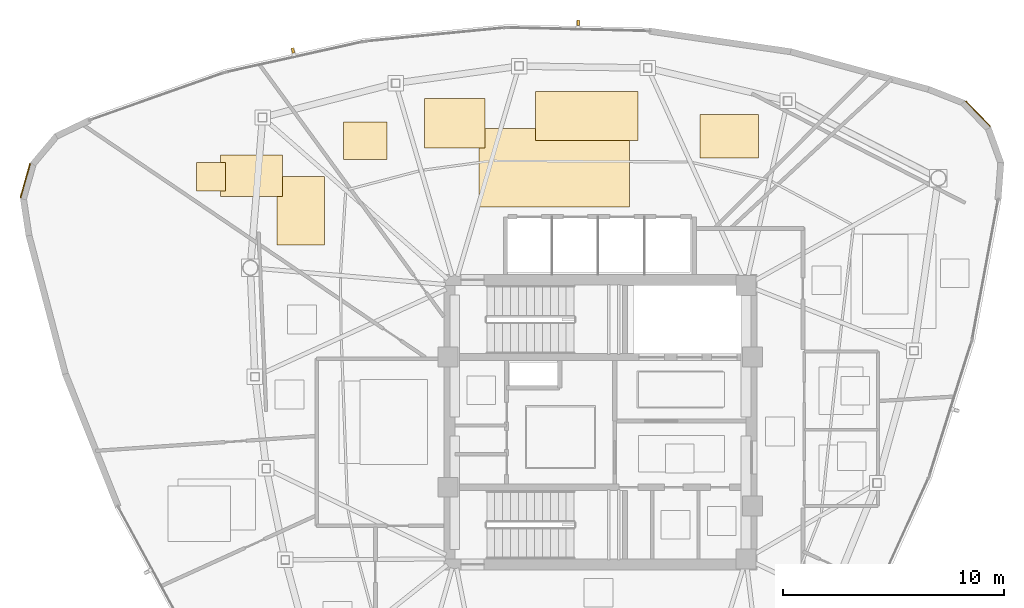
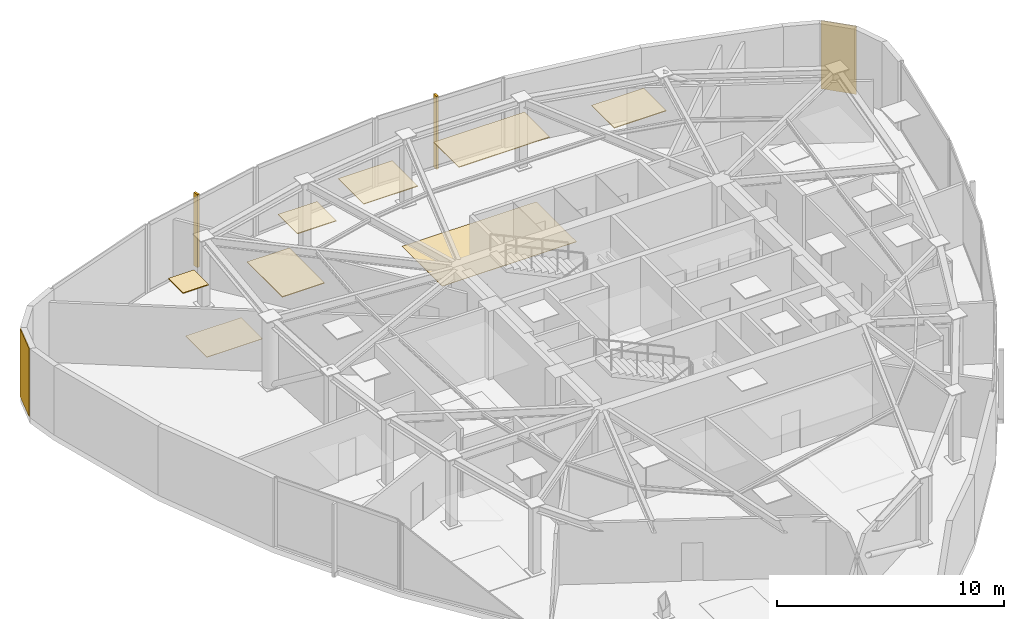
# One storey, part 13 of 13: 10 coverings, 2 shading devices.
"""IFC4 building model written with IfcOpenShell, lengths in metres."""

import ifcopenshell
import ifcopenshell.guid

model = None  # the IFC model being written
_history = None  # IfcOwnerHistory: only IFC2X3 demands one
_inside = {}  # id of a spatial element -> (the spatial element, [elements in it])
_under = {}  # id of a project, library or spatial element -> (it, [spatial elements below it])
_declared = {}  # id of a project -> (the project, [libraries it declares])
_typed = {}  # id of a type object -> (the type object, [elements of that type])
_made_of = {}  # id of a material, layer set ... -> (it, [elements and type objects made of it])


def new_model(schema):
    """Start an empty IFC model of exactly this schema.

    Asked for "IFC4X3", IfcOpenShell would pick the latest addendum, in which some entities
    have other attributes; the version numbers below select the first issue.
    IFC2X3 requires an IfcOwnerHistory on every rooted entity: one is made here for all.
    """
    global model, _history
    if schema == "IFC4X3":
        model = ifcopenshell.file(schema_version=(4, 3, 0, 0))
    else:
        model = ifcopenshell.file(schema=schema)
    _inside.clear()
    _under.clear()
    _declared.clear()
    _typed.clear()
    _made_of.clear()
    _history = None
    if model.schema == "IFC2X3":
        org = make("IfcOrganization", Name="unknown")
        user = make(
            "IfcPersonAndOrganization",
            ThePerson=make("IfcPerson", FamilyName="unknown"),
            TheOrganization=org,
        )
        app = make(
            "IfcApplication",
            ApplicationDeveloper=org,
            Version="unknown",
            ApplicationFullName="unknown",
            ApplicationIdentifier="unknown",
        )
        _history = make(
            "IfcOwnerHistory",
            OwningUser=user,
            OwningApplication=app,
            ChangeAction="ADDED",
            CreationDate=0,
        )
    return model


def make(cls, **values):
    """One entity of the class cls with the attributes given. An attribute that is None is left unset."""
    return model.create_entity(
        cls, **{name: value for name, value in values.items() if value is not None}
    )


def rooted(cls, **values):
    """An entity with a GlobalId (a new one), such as an element, a storey or a relation."""
    return make(cls, GlobalId=ifcopenshell.guid.new(), OwnerHistory=_history, **values)


def si_unit(unit_type, name, prefix=None):
    """IfcSIUnit, for example si_unit("LENGTHUNIT", "METRE", prefix="MILLI")."""
    return make("IfcSIUnit", UnitType=unit_type, Prefix=prefix, Name=name)


def assignment(units):
    """IfcUnitAssignment: the units of a project."""
    return None if units is None else make("IfcUnitAssignment", Units=units)


def point(xyz):
    """IfcCartesianPoint."""
    return None if xyz is None else make("IfcCartesianPoint", Coordinates=xyz)


def direction(xyz):
    """IfcDirection."""
    return None if xyz is None else make("IfcDirection", DirectionRatios=xyz)


def frame(location, z_axis=None, x_axis=None):
    """IfcAxis2Placement3D, a coordinate frame: its origin and axes. An axis left out is left unset."""
    return make(
        "IfcAxis2Placement3D",
        Location=point(location),
        Axis=direction(z_axis),
        RefDirection=direction(x_axis),
    )


def frame_2d(location, x_axis=None):
    """IfcAxis2Placement2D, a coordinate frame in the plane: its origin and x axis."""
    return make(
        "IfcAxis2Placement2D", Location=point(location), RefDirection=direction(x_axis)
    )


def origin():
    """The frame at (0, 0, 0) with its axes left unset."""
    return frame((0.0, 0.0, 0.0))


def origin_2d():
    """The frame at (0, 0) in the plane with its x axis left unset."""
    return frame_2d((0.0, 0.0))


def place(relative_to, where):
    """IfcLocalPlacement: puts the frame where relative to a parent placement (None: the world)."""
    return make(
        "IfcLocalPlacement", PlacementRelTo=relative_to, RelativePlacement=where
    )


def context(
    kind, dimensions, precision=None, world=None, true_north=None, identifier=None
):
    """IfcGeometricRepresentationContext, for example the 3D "Model" context."""
    return make(
        "IfcGeometricRepresentationContext",
        ContextIdentifier=identifier,
        ContextType=kind,
        CoordinateSpaceDimension=dimensions,
        Precision=precision,
        WorldCoordinateSystem=world,
        TrueNorth=true_north,
    )


def subcontext(parent, identifier, kind, view, scale=None):
    """IfcGeometricRepresentationSubContext, for example "Body" below "Model"."""
    return make(
        "IfcGeometricRepresentationSubContext",
        ContextIdentifier=identifier,
        ContextType=kind,
        ParentContext=parent,
        TargetScale=scale,
        TargetView=view,
    )


def project(units=None, contexts=None):
    """IfcProject with its units and contexts."""
    return rooted(
        "IfcProject",
        Name="project",
        RepresentationContexts=contexts,
        UnitsInContext=assignment(units),
    )


def spatial(cls, under=None, at=None, **own):
    """A site, building, storey or space (cls), placed at a placement, below another one or the project."""
    s = rooted(cls, ObjectPlacement=at, **own)
    if under is not None:
        _under.setdefault(under.id(), (under, []))[1].append(s)
    return s


def polyline(points):
    """IfcPolyline through the points."""
    return make("IfcPolyline", Points=[point(p) for p in points])


def profile(cls, at=None, kind="AREA", **sizes):
    """A parametric profile (cls). Its sizes go by their IFC names, for example OverallWidth=200.0."""
    return make(cls, ProfileType=kind, Position=at, **sizes)


def rectangle(**sizes):
    """IfcRectangleProfileDef."""
    return profile("IfcRectangleProfileDef", **sizes)


def outline(outer, holes=None, kind="AREA"):
    """IfcArbitraryClosedProfileDef: a profile drawn as a closed curve; with holes, ...WithVoids."""
    if holes is None:
        return make("IfcArbitraryClosedProfileDef", ProfileType=kind, OuterCurve=outer)
    return make(
        "IfcArbitraryProfileDefWithVoids",
        ProfileType=kind,
        OuterCurve=outer,
        InnerCurves=holes,
    )


def extrude(swept, where, along, depth):
    """IfcExtrudedAreaSolid: the profile swept, set in the frame where, extruded along a direction by depth."""
    return make(
        "IfcExtrudedAreaSolid",
        SweptArea=swept,
        Position=where,
        ExtrudedDirection=direction(along),
        Depth=depth,
    )


def shape(context_of_items, identifier, shape_type, items):
    """IfcShapeRepresentation: the items that make up one representation, for example the "Body"."""
    return make(
        "IfcShapeRepresentation",
        ContextOfItems=context_of_items,
        RepresentationIdentifier=identifier,
        RepresentationType=shape_type,
        Items=items,
    )


def source(mapping_origin, context_of_items, identifier, shape_type, items):
    """IfcRepresentationMap: a shape defined once, which mapped items show again and again."""
    return make(
        "IfcRepresentationMap",
        MappingOrigin=mapping_origin,
        MappedRepresentation=shape(context_of_items, identifier, shape_type, items),
    )


def transform(
    local_origin,
    x_axis=None,
    y_axis=None,
    z_axis=None,
    scale=None,
    scale2=None,
    scale3=None,
    uniform=True,
):
    """IfcCartesianTransformationOperator3D, or its non-uniform kind. x_axis, y_axis, z_axis: its Axis1, 2, 3."""
    if uniform:
        return make(
            "IfcCartesianTransformationOperator3D",
            Axis1=direction(x_axis),
            Axis2=direction(y_axis),
            LocalOrigin=point(local_origin),
            Scale=scale,
            Axis3=direction(z_axis),
        )
    return make(
        "IfcCartesianTransformationOperator3DnonUniform",
        Axis1=direction(x_axis),
        Axis2=direction(y_axis),
        LocalOrigin=point(local_origin),
        Scale=scale,
        Axis3=direction(z_axis),
        Scale2=scale2,
        Scale3=scale3,
    )


def mapped(mapping_source, mapping_target):
    """IfcMappedItem: shows the shape of a source again, moved by a transform."""
    return make(
        "IfcMappedItem", MappingSource=mapping_source, MappingTarget=mapping_target
    )


def material(Name=None, Category=None):
    """IfcMaterial."""
    return make("IfcMaterial", Name=Name, Category=Category)


def layer(
    of_material, thickness, ventilated=None, Name=None, Category=None, Priority=None
):
    """IfcMaterialLayer: one layer of a wall or slab, of a material (None: an air gap)."""
    return make(
        "IfcMaterialLayer",
        Material=of_material,
        LayerThickness=thickness,
        IsVentilated=ventilated,
        Name=Name,
        Category=Category,
        Priority=Priority,
    )


def layer_set(layers, Name=None):
    """IfcMaterialLayerSet."""
    return make("IfcMaterialLayerSet", MaterialLayers=layers, LayerSetName=Name)


def made_of(thing, what):
    """Note that an element or type object is made of a material, layer set ...; save() writes the relation."""
    if what is not None:
        _made_of.setdefault(what.id(), (what, []))[1].append(thing)
    return thing


def type_object(cls, material=None, **own):
    """A type object (cls), such as IfcWallType, which elements share."""
    return made_of(rooted(cls, **own), material)


def type_shapes(of_type, sources):
    """Give a type object the sources (RepresentationMaps) that its elements show as mapped items."""
    of_type.RepresentationMaps = sources


def element(
    cls,
    number,
    at=None,
    inside=None,
    cuts=None,
    type_object=None,
    material=None,
    context=None,
    identifier="Body",
    shape_type=None,
    held_by="IfcProductDefinitionShape",
    body=None,
    shapes=None,
    **own,
):
    """One element of the class cls, such as IfcWall. Its Tag is "e" and its number.

    at: its placement. inside: the storey or other place that contains it. cuts: it is an
    opening in that element (IfcRelVoidsElement). A single representation is given by context,
    identifier, shape_type and body (its items); several are given by shapes. held_by: the class
    of the entity that holds the representations. save() writes the other relations.
    """
    e = rooted(cls, Tag="e%d" % number, ObjectPlacement=at, **own)
    if body is not None:
        shapes = [shape(context, identifier, shape_type, body)]
    if shapes is not None:
        e.Representation = make(held_by, Representations=shapes)
    if inside is not None:
        _inside.setdefault(inside.id(), (inside, []))[1].append(e)
    if cuts is not None:
        rooted(
            "IfcRelVoidsElement", RelatingBuildingElement=cuts, RelatedOpeningElement=e
        )
    if type_object is not None:
        _typed.setdefault(type_object.id(), (type_object, []))[1].append(e)
    return made_of(e, material)


def aggregate(whole, parts):
    """IfcRelAggregates: a whole, such as a stair, and the parts it consists of."""
    return rooted("IfcRelAggregates", RelatingObject=whole, RelatedObjects=parts)


def save(model, path):
    """Write the relations noted so far, then the file.

    IfcRelAggregates (storeys below a building ...), IfcRelContainedInSpatialStructure (elements
    in a storey), IfcRelDefinesByType, IfcRelAssociatesMaterial and IfcRelDeclares: one each for
    every whole, place, type object, material and project.
    """
    for whole, parts in _under.values():
        aggregate(whole, parts)
    for where, things in _inside.values():
        rooted(
            "IfcRelContainedInSpatialStructure",
            RelatedElements=things,
            RelatingStructure=where,
        )
    for kind, things in _typed.values():
        rooted("IfcRelDefinesByType", RelatedObjects=things, RelatingType=kind)
    for what, things in _made_of.values():
        rooted("IfcRelAssociatesMaterial", RelatedObjects=things, RelatingMaterial=what)
    for by, libraries in _declared.values():
        rooted("IfcRelDeclares", RelatingContext=by, RelatedDefinitions=libraries)
    model.write(path)


model = new_model("IFC4")

# Units and contexts
model_context = context("Model", 3, precision=1e-05, world=origin(), true_north=direction((0.0, 1.0)))
body_context = subcontext(model_context, "Body", "Model", "MODEL_VIEW")
ifc_project = project(units=[si_unit("LENGTHUNIT", "METRE"), si_unit("AREAUNIT", "SQUARE_METRE"), si_unit("VOLUMEUNIT", "CUBIC_METRE"), si_unit("PLANEANGLEUNIT", "RADIAN"), si_unit("MASSUNIT", "GRAM", prefix="KILO")], contexts=[model_context])

# Site, building, storey
site_placement = place(None, origin())
site = spatial("IfcSite", under=ifc_project, at=site_placement, CompositionType="ELEMENT")
building_placement = place(site_placement, origin())
building = spatial("IfcBuilding", under=site, at=building_placement, Name="Tavelor Broadcast Tower", CompositionType="ELEMENT")
storey_placement = place(building_placement, frame((0.0, 0.0, 305.5)))
storey = spatial("IfcBuildingStorey", under=building, at=storey_placement, Name="L73", CompositionType="ELEMENT", Elevation=305.5)

# Coverings
ifc_material_1 = material(Name="Copper-Bronze Anodized Aluminium", Category="aluminium")
ifc_layer_1 = layer(ifc_material_1, 0.050048828125)
ifc_layer_set_1 = layer_set([ifc_layer_1], Name="Copper-Bronze Anodized Aluminium")
covering_type_1 = type_object("IfcCoveringType", Name="Champagne-Bronze Corner Pier Metal Cladding 50 mm", PredefinedType="CLADDING", material=ifc_layer_set_1)
for number, where, z_axis, x_axis, name in (
    (1, (23.935546875, 55.9501953125, 0.02001953125), (0.0, 0.0, 1.0), (-0.271440449865, -0.962455236454, 0.0), "L73 Champagne-Bronze Corner Cladding 03"),
    (2, (67.115478515625, 58.9794921875, 0.02001953125), (0.0, 0.0, 1.0), (-0.697790459842, 0.716301943425, 0.0), "L73 Champagne-Bronze Corner Cladding 23"),
):
    element("IfcCovering", number, at=place(storey_placement, frame(where, z_axis=z_axis, x_axis=x_axis)), inside=storey, type_object=covering_type_1, Name=name, PredefinedType="CLADDING", context=body_context, shape_type="SweptSolid", body=[
        extrude(rectangle(XDim=1.60693359375, YDim=0.050048828125, at=origin_2d()), origin(), (0.0, 0.0, 1.0), 3.659912109375),
    ])
ifc_material_2 = material(Name="Acoustic Nylon Carpet Tile")
ifc_layer_2 = layer(ifc_material_2, 0.02001953125)
ifc_layer_set_2 = layer_set([ifc_layer_2], Name="Acoustic Nylon Carpet Tile")
covering_type_2 = type_object("IfcCoveringType", Name="Heavy-Duty Acoustic Broadcast Carpet Tile 20 mm", PredefinedType="FLOORING", material=ifc_layer_set_2)
covering_1_placement = place(storey_placement, origin())
element("IfcCovering", 3, at=covering_1_placement, inside=storey, type_object=covering_type_2, Name="L73 Broadcast Floor Finish 1095", PredefinedType="FLOORING", context=body_context, shape_type="SweptSolid", body=[
    extrude(outline(polyline([(32.77099609375, 55.218017578125), (35.600830078125, 55.218017578125), (35.600830078125, 57.1044921875), (32.77099609375, 57.1044921875), (32.77099609375, 55.218017578125)])), origin(), (0.0, 0.0, 1.0), 0.02001953125),
])
covering_2_placement = place(storey_placement, origin())
element("IfcCovering", 4, at=covering_2_placement, inside=storey, type_object=covering_type_2, Name="L73 Broadcast Floor Finish 1096", PredefinedType="FLOORING", context=body_context, shape_type="SweptSolid", body=[
    extrude(outline(polyline([(44.487060546875, 54.7607421875), (51.327392578125, 54.7607421875), (51.327392578125, 58.30322265625), (44.487060546875, 58.30322265625), (44.487060546875, 54.7607421875)])), origin(), (0.0, 0.0, 1.0), 0.02001953125),
])
ifc_material_3 = material(Name="Acoustic Mineral Fibre Tile")
ifc_layer_3 = layer(ifc_material_3, 0.0400390625)
ifc_layer_set_3 = layer_set([ifc_layer_3], Name="Acoustic Mineral Fibre Tile")
covering_type_3 = type_object("IfcCoveringType", Name="Suspended Acoustic Mineral-Fibre Office Ceiling 40 mm", PredefinedType="CEILING", material=ifc_layer_set_3)
covering_3_placement = place(storey_placement, frame((0.0, 0.0, 3.659912109375)))
element("IfcCovering", 5, at=covering_3_placement, inside=storey, type_object=covering_type_3, Name="L73 Suspended Acoustic Ceiling 2783", PredefinedType="CEILING", context=body_context, shape_type="SweptSolid", body=[
    extrude(outline(polyline([(31.7021484375, 55.46875), (33.002197265625, 55.46875), (33.002197265625, 56.768798828125), (31.7021484375, 56.768798828125), (31.7021484375, 55.46875)])), origin(), (0.0, 0.0, 1.0), 0.0400390625),
])
covering_4_placement = place(storey_placement, frame((0.0, 0.0, 3.659912109375)))
element("IfcCovering", 6, at=covering_4_placement, inside=storey, type_object=covering_type_3, Name="L73 Suspended Acoustic Ceiling 2784", PredefinedType="CEILING", context=body_context, shape_type="SweptSolid", body=[
    extrude(outline(polyline([(35.3466796875, 53.028564453125), (37.49853515625, 53.028564453125), (37.49853515625, 56.131103515625), (35.3466796875, 56.131103515625), (35.3466796875, 53.028564453125)])), origin(), (0.0, 0.0, 1.0), 0.0400390625),
])
covering_5_placement = place(storey_placement, frame((0.0, 0.0, 3.659912109375)))
element("IfcCovering", 7, at=covering_5_placement, inside=storey, type_object=covering_type_3, Name="L73 Suspended Acoustic Ceiling 2785", PredefinedType="CEILING", context=body_context, shape_type="SweptSolid", body=[
    extrude(outline(polyline([(54.51318359375, 56.962158203125), (57.16796875, 56.962158203125), (57.16796875, 58.954345703125), (54.51318359375, 58.954345703125), (54.51318359375, 56.962158203125)])), origin(), (0.0, 0.0, 1.0), 0.0400390625),
])
covering_6_placement = place(storey_placement, frame((0.0, 0.0, 3.659912109375)))
element("IfcCovering", 8, at=covering_6_placement, inside=storey, type_object=covering_type_3, Name="L73 Suspended Acoustic Ceiling 2786", PredefinedType="CEILING", context=body_context, shape_type="SweptSolid", body=[
    extrude(outline(polyline([(38.354736328125, 56.906494140625), (40.330078125, 56.906494140625), (40.330078125, 58.609130859375), (38.354736328125, 58.609130859375), (38.354736328125, 56.906494140625)])), origin(), (0.0, 0.0, 1.0), 0.0400390625),
])
covering_7_placement = place(storey_placement, frame((0.0, 0.0, 3.659912109375)))
element("IfcCovering", 9, at=covering_7_placement, inside=storey, type_object=covering_type_3, Name="L73 Suspended Acoustic Ceiling 2787", PredefinedType="CEILING", context=body_context, shape_type="SweptSolid", body=[
    extrude(outline(polyline([(42.02392578125, 57.420166015625), (44.780517578125, 57.420166015625), (44.780517578125, 59.66748046875), (42.02392578125, 59.66748046875), (42.02392578125, 57.420166015625)])), origin(), (0.0, 0.0, 1.0), 0.0400390625),
])
covering_8_placement = place(storey_placement, frame((0.0, 0.0, 3.659912109375)))
element("IfcCovering", 10, at=covering_8_placement, inside=storey, type_object=covering_type_3, Name="L73 Suspended Acoustic Ceiling 2788", PredefinedType="CEILING", context=body_context, shape_type="SweptSolid", body=[
    extrude(outline(polyline([(47.069580078125, 57.77392578125), (51.702880859375, 57.77392578125), (51.702880859375, 59.9912109375), (47.069580078125, 59.9912109375), (47.069580078125, 57.77392578125)])), origin(), (0.0, 0.0, 1.0), 0.0400390625),
])

# Shading devices
ifc_material_4 = material(Name="Kiln-Fired Glazed Terracotta", Category="masonry")
shading_device_type = type_object("IfcShadingDeviceType", Name="Extruded Terracotta Baguette Sun-Screen 110x240", PredefinedType="JALOUSIE", material=ifc_material_4)
shared_shape = source(origin(), body_context, "Body", "SweptSolid", [
    extrude(rectangle(XDim=0.110107421875, YDim=0.239990234375, at=origin_2d()), origin(), (0.0, 0.0, 1.0), 3.93994140625),
])
type_shapes(shading_device_type, [shared_shape])
for number, where, z_axis, x_axis, name in (
    (11, (48.990478515625, 63.105712890625, -0.260009765625), (0.0, 0.0, 1.0), (-0.999714145402, 0.023908732351, 0.0), "L73 Terracotta Baguette Fin 713"),
    (12, (36.06640625, 61.84423828125, -0.260009765625), (0.0, 0.0, 1.0), (-0.97618254578, -0.21695077164, 0.0), "L73 Terracotta Baguette Fin 714"),
):
    element("IfcShadingDevice", number, at=place(storey_placement, frame(where, z_axis=z_axis, x_axis=x_axis)), inside=storey, type_object=shading_device_type, Name=name, PredefinedType="JALOUSIE", context=body_context, shape_type="MappedRepresentation", body=[
        mapped(shared_shape, transform((0.0, 0.0, 0.0), scale=1.0)),
    ])

save(model, "model.ifc")
